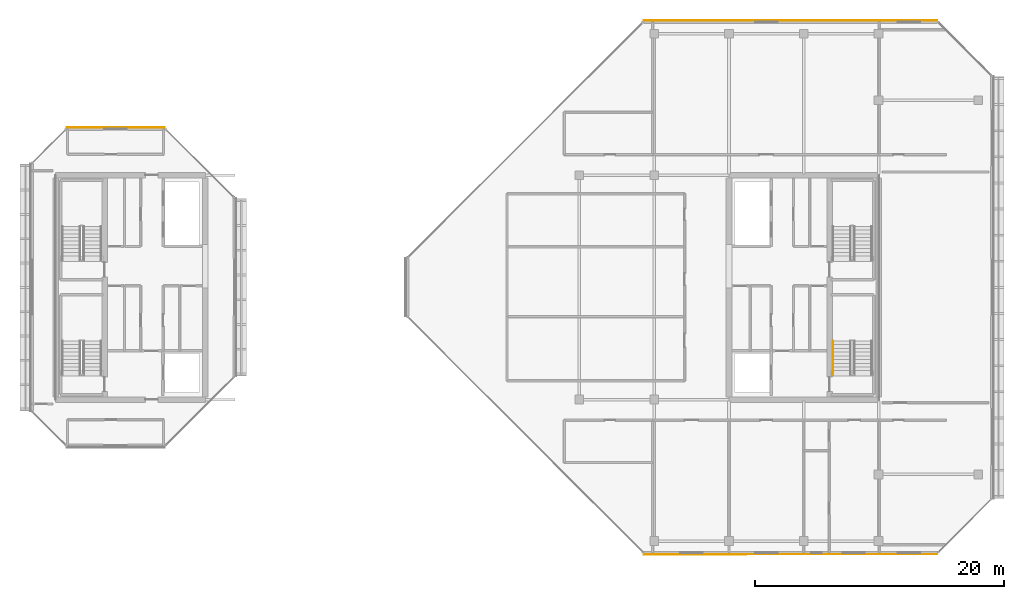
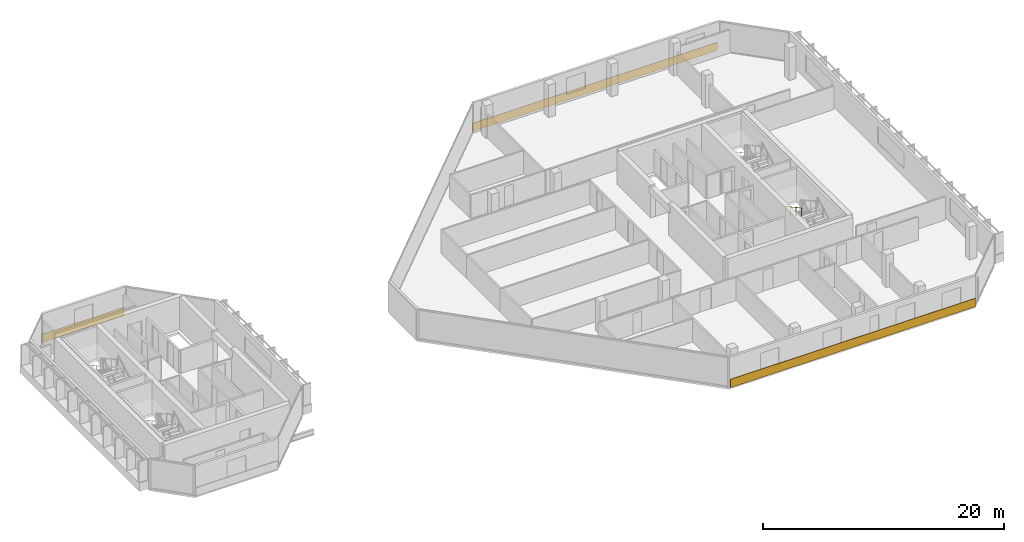
# One storey, part 28 of 29: 3 coverings, 1 railing.
"""IFC4 building model written with IfcOpenShell, lengths in metres."""

import ifcopenshell
import ifcopenshell.guid

model = None  # the IFC model being written
_history = None  # IfcOwnerHistory: only IFC2X3 demands one
_inside = {}  # id of a spatial element -> (the spatial element, [elements in it])
_under = {}  # id of a project, library or spatial element -> (it, [spatial elements below it])
_declared = {}  # id of a project -> (the project, [libraries it declares])
_typed = {}  # id of a type object -> (the type object, [elements of that type])
_made_of = {}  # id of a material, layer set ... -> (it, [elements and type objects made of it])


def new_model(schema):
    """Start an empty IFC model of exactly this schema.

    Asked for "IFC4X3", IfcOpenShell would pick the latest addendum, in which some entities
    have other attributes; the version numbers below select the first issue.
    IFC2X3 requires an IfcOwnerHistory on every rooted entity: one is made here for all.
    """
    global model, _history
    if schema == "IFC4X3":
        model = ifcopenshell.file(schema_version=(4, 3, 0, 0))
    else:
        model = ifcopenshell.file(schema=schema)
    _inside.clear()
    _under.clear()
    _declared.clear()
    _typed.clear()
    _made_of.clear()
    _history = None
    if model.schema == "IFC2X3":
        org = make("IfcOrganization", Name="unknown")
        user = make(
            "IfcPersonAndOrganization",
            ThePerson=make("IfcPerson", FamilyName="unknown"),
            TheOrganization=org,
        )
        app = make(
            "IfcApplication",
            ApplicationDeveloper=org,
            Version="unknown",
            ApplicationFullName="unknown",
            ApplicationIdentifier="unknown",
        )
        _history = make(
            "IfcOwnerHistory",
            OwningUser=user,
            OwningApplication=app,
            ChangeAction="ADDED",
            CreationDate=0,
        )
    return model


def make(cls, **values):
    """One entity of the class cls with the attributes given. An attribute that is None is left unset."""
    return model.create_entity(
        cls, **{name: value for name, value in values.items() if value is not None}
    )


def rooted(cls, **values):
    """An entity with a GlobalId (a new one), such as an element, a storey or a relation."""
    return make(cls, GlobalId=ifcopenshell.guid.new(), OwnerHistory=_history, **values)


def si_unit(unit_type, name, prefix=None):
    """IfcSIUnit, for example si_unit("LENGTHUNIT", "METRE", prefix="MILLI")."""
    return make("IfcSIUnit", UnitType=unit_type, Prefix=prefix, Name=name)


def assignment(units):
    """IfcUnitAssignment: the units of a project."""
    return None if units is None else make("IfcUnitAssignment", Units=units)


def point(xyz):
    """IfcCartesianPoint."""
    return None if xyz is None else make("IfcCartesianPoint", Coordinates=xyz)


def direction(xyz):
    """IfcDirection."""
    return None if xyz is None else make("IfcDirection", DirectionRatios=xyz)


def frame(location, z_axis=None, x_axis=None):
    """IfcAxis2Placement3D, a coordinate frame: its origin and axes. An axis left out is left unset."""
    return make(
        "IfcAxis2Placement3D",
        Location=point(location),
        Axis=direction(z_axis),
        RefDirection=direction(x_axis),
    )


def frame_2d(location, x_axis=None):
    """IfcAxis2Placement2D, a coordinate frame in the plane: its origin and x axis."""
    return make(
        "IfcAxis2Placement2D", Location=point(location), RefDirection=direction(x_axis)
    )


def origin():
    """The frame at (0, 0, 0) with its axes left unset."""
    return frame((0.0, 0.0, 0.0))


def origin_2d():
    """The frame at (0, 0) in the plane with its x axis left unset."""
    return frame_2d((0.0, 0.0))


def place(relative_to, where):
    """IfcLocalPlacement: puts the frame where relative to a parent placement (None: the world)."""
    return make(
        "IfcLocalPlacement", PlacementRelTo=relative_to, RelativePlacement=where
    )


def context(
    kind, dimensions, precision=None, world=None, true_north=None, identifier=None
):
    """IfcGeometricRepresentationContext, for example the 3D "Model" context."""
    return make(
        "IfcGeometricRepresentationContext",
        ContextIdentifier=identifier,
        ContextType=kind,
        CoordinateSpaceDimension=dimensions,
        Precision=precision,
        WorldCoordinateSystem=world,
        TrueNorth=true_north,
    )


def subcontext(parent, identifier, kind, view, scale=None):
    """IfcGeometricRepresentationSubContext, for example "Body" below "Model"."""
    return make(
        "IfcGeometricRepresentationSubContext",
        ContextIdentifier=identifier,
        ContextType=kind,
        ParentContext=parent,
        TargetScale=scale,
        TargetView=view,
    )


def project(units=None, contexts=None):
    """IfcProject with its units and contexts."""
    return rooted(
        "IfcProject",
        Name="project",
        RepresentationContexts=contexts,
        UnitsInContext=assignment(units),
    )


def spatial(cls, under=None, at=None, **own):
    """A site, building, storey or space (cls), placed at a placement, below another one or the project."""
    s = rooted(cls, ObjectPlacement=at, **own)
    if under is not None:
        _under.setdefault(under.id(), (under, []))[1].append(s)
    return s


def profile(cls, at=None, kind="AREA", **sizes):
    """A parametric profile (cls). Its sizes go by their IFC names, for example OverallWidth=200.0."""
    return make(cls, ProfileType=kind, Position=at, **sizes)


def rectangle(**sizes):
    """IfcRectangleProfileDef."""
    return profile("IfcRectangleProfileDef", **sizes)


def extrude(swept, where, along, depth):
    """IfcExtrudedAreaSolid: the profile swept, set in the frame where, extruded along a direction by depth."""
    return make(
        "IfcExtrudedAreaSolid",
        SweptArea=swept,
        Position=where,
        ExtrudedDirection=direction(along),
        Depth=depth,
    )


def shape(context_of_items, identifier, shape_type, items):
    """IfcShapeRepresentation: the items that make up one representation, for example the "Body"."""
    return make(
        "IfcShapeRepresentation",
        ContextOfItems=context_of_items,
        RepresentationIdentifier=identifier,
        RepresentationType=shape_type,
        Items=items,
    )


def material(Name=None, Category=None):
    """IfcMaterial."""
    return make("IfcMaterial", Name=Name, Category=Category)


def layer(
    of_material, thickness, ventilated=None, Name=None, Category=None, Priority=None
):
    """IfcMaterialLayer: one layer of a wall or slab, of a material (None: an air gap)."""
    return make(
        "IfcMaterialLayer",
        Material=of_material,
        LayerThickness=thickness,
        IsVentilated=ventilated,
        Name=Name,
        Category=Category,
        Priority=Priority,
    )


def layer_set(layers, Name=None):
    """IfcMaterialLayerSet."""
    return make("IfcMaterialLayerSet", MaterialLayers=layers, LayerSetName=Name)


def made_of(thing, what):
    """Note that an element or type object is made of a material, layer set ...; save() writes the relation."""
    if what is not None:
        _made_of.setdefault(what.id(), (what, []))[1].append(thing)
    return thing


def type_object(cls, material=None, **own):
    """A type object (cls), such as IfcWallType, which elements share."""
    return made_of(rooted(cls, **own), material)


def element(
    cls,
    number,
    at=None,
    inside=None,
    cuts=None,
    type_object=None,
    material=None,
    context=None,
    identifier="Body",
    shape_type=None,
    held_by="IfcProductDefinitionShape",
    body=None,
    shapes=None,
    **own,
):
    """One element of the class cls, such as IfcWall. Its Tag is "e" and its number.

    at: its placement. inside: the storey or other place that contains it. cuts: it is an
    opening in that element (IfcRelVoidsElement). A single representation is given by context,
    identifier, shape_type and body (its items); several are given by shapes. held_by: the class
    of the entity that holds the representations. save() writes the other relations.
    """
    e = rooted(cls, Tag="e%d" % number, ObjectPlacement=at, **own)
    if body is not None:
        shapes = [shape(context, identifier, shape_type, body)]
    if shapes is not None:
        e.Representation = make(held_by, Representations=shapes)
    if inside is not None:
        _inside.setdefault(inside.id(), (inside, []))[1].append(e)
    if cuts is not None:
        rooted(
            "IfcRelVoidsElement", RelatingBuildingElement=cuts, RelatedOpeningElement=e
        )
    if type_object is not None:
        _typed.setdefault(type_object.id(), (type_object, []))[1].append(e)
    return made_of(e, material)


def aggregate(whole, parts):
    """IfcRelAggregates: a whole, such as a stair, and the parts it consists of."""
    return rooted("IfcRelAggregates", RelatingObject=whole, RelatedObjects=parts)


def save(model, path):
    """Write the relations noted so far, then the file.

    IfcRelAggregates (storeys below a building ...), IfcRelContainedInSpatialStructure (elements
    in a storey), IfcRelDefinesByType, IfcRelAssociatesMaterial and IfcRelDeclares: one each for
    every whole, place, type object, material and project.
    """
    for whole, parts in _under.values():
        aggregate(whole, parts)
    for where, things in _inside.values():
        rooted(
            "IfcRelContainedInSpatialStructure",
            RelatedElements=things,
            RelatingStructure=where,
        )
    for kind, things in _typed.values():
        rooted("IfcRelDefinesByType", RelatedObjects=things, RelatingType=kind)
    for what, things in _made_of.values():
        rooted("IfcRelAssociatesMaterial", RelatedObjects=things, RelatingMaterial=what)
    for by, libraries in _declared.values():
        rooted("IfcRelDeclares", RelatingContext=by, RelatedDefinitions=libraries)
    model.write(path)


model = new_model("IFC4")

# Units and contexts
model_context = context("Model", 3, precision=1e-05, world=origin(), true_north=direction((0.0, 1.0)))
body_context = subcontext(model_context, "Body", "Model", "MODEL_VIEW")
ifc_project = project(units=[si_unit("LENGTHUNIT", "METRE"), si_unit("AREAUNIT", "SQUARE_METRE"), si_unit("VOLUMEUNIT", "CUBIC_METRE"), si_unit("PLANEANGLEUNIT", "RADIAN"), si_unit("MASSUNIT", "GRAM", prefix="KILO")], contexts=[model_context])

# Site, building, storey
site_placement = place(None, origin())
site = spatial("IfcSite", under=ifc_project, at=site_placement, CompositionType="ELEMENT")
building_placement = place(site_placement, origin())
building = spatial("IfcBuilding", under=site, at=building_placement, Name="Tanjung Sevakor Pilgrim Tower", CompositionType="ELEMENT")
storey_placement = place(building_placement, frame((0.0, 0.0, 232.64990234375)))
storey = spatial("IfcBuildingStorey", under=building, at=storey_placement, Name="L65", CompositionType="ELEMENT", Elevation=232.64990234375)

# Coverings
ifc_material_1 = material(Name="Reconstructed Limestone Cladding", Category="masonry")
ifc_layer = layer(ifc_material_1, 0.044921875)
ifc_layer_set = layer_set([ifc_layer], Name="COV-CLAD-LIMESTONE")
covering_type = type_object("IfcCoveringType", Name="COV-CLAD-LIMESTONE", PredefinedType="CLADDING", material=ifc_layer_set)
covering_placement = place(storey_placement, frame((28.824951171875, 46.422607421875, 0.01025390625), z_axis=(0.0, 0.0, 1.0), x_axis=(-1.0, 0.0, 0.0)))
element("IfcCovering", 1, at=covering_placement, inside=storey, type_object=covering_type, Name="L65 Warm Limestone Sill Spandrel EW-L65-WEST-5-1", PredefinedType="CLADDING", context=body_context, shape_type="SweptSolid", body=[
    extrude(rectangle(XDim=7.87890625, YDim=0.044921875, at=origin_2d()), origin(), (0.0, 0.0, 1.0), 0.840087890625),
])
for number, where, z_axis, x_axis, name in (
    (2, (82.949951171875, 12.177490234375, 0.01025390625), (0.0, 0.0, 1.0), (1.0, 0.0, 0.0), "L65 Warm Limestone Sill Spandrel EW-L65-EAST-1-1"),
    (3, (82.949951171875, 55.0224609375, 0.01025390625), (0.0, 0.0, 1.0), (-1.0, 0.0, 0.0), "L65 Warm Limestone Sill Spandrel EW-L65-EAST-5-1"),
):
    element("IfcCovering", number, at=place(storey_placement, frame(where, z_axis=z_axis, x_axis=x_axis)), inside=storey, type_object=covering_type, Name=name, PredefinedType="CLADDING", context=body_context, shape_type="SweptSolid", body=[
        extrude(rectangle(XDim=23.52880859375, YDim=0.044921875, at=origin_2d()), origin(), (0.0, 0.0, 1.0), 0.840087890625),
    ])

# Railing
ifc_material_2 = material(Name="Steel S355J2", Category="steel")
railing_type = type_object("IfcRailingType", Name="RL-STAIR-HAND", PredefinedType="HANDRAIL", material=ifc_material_2)
railing_placement = place(storey_placement, frame((86.35009765625, 29.300048828125, 1.815185546875)))
element("IfcRailing", 4, at=railing_placement, inside=storey, type_object=railing_type, Name="L65 TS-E1 stair handrail 2", PredefinedType="HANDRAIL", context=body_context, shape_type="SweptSolid", body=[
    extrude(rectangle(XDim=0.0479, YDim=0.0479), frame((0.0, 0.0, 0.8759765625), z_axis=(0.0, -0.876230963923, 0.481891375584), x_axis=(1.0, 0.0, 0.0)), (0.0, 0.0, 1.0), 3.081298828125),
    extrude(rectangle(XDim=0.042, YDim=0.042), origin(), (0.0, 0.0, 1.0), 0.851806640625),
    extrude(rectangle(XDim=0.042, YDim=0.042), frame((0.0, -0.89990234375, 0.494873046875)), (0.0, 0.0, 1.0), 0.851806640625),
    extrude(rectangle(XDim=0.042, YDim=0.042), frame((0.0, -1.800048828125, 0.989990234375)), (0.0, 0.0, 1.0), 0.851806640625),
    extrude(rectangle(XDim=0.042, YDim=0.042), frame((0.0, -2.699951171875, 1.48486328125)), (0.0, 0.0, 1.0), 0.851806640625),
])

save(model, "model.ifc")
